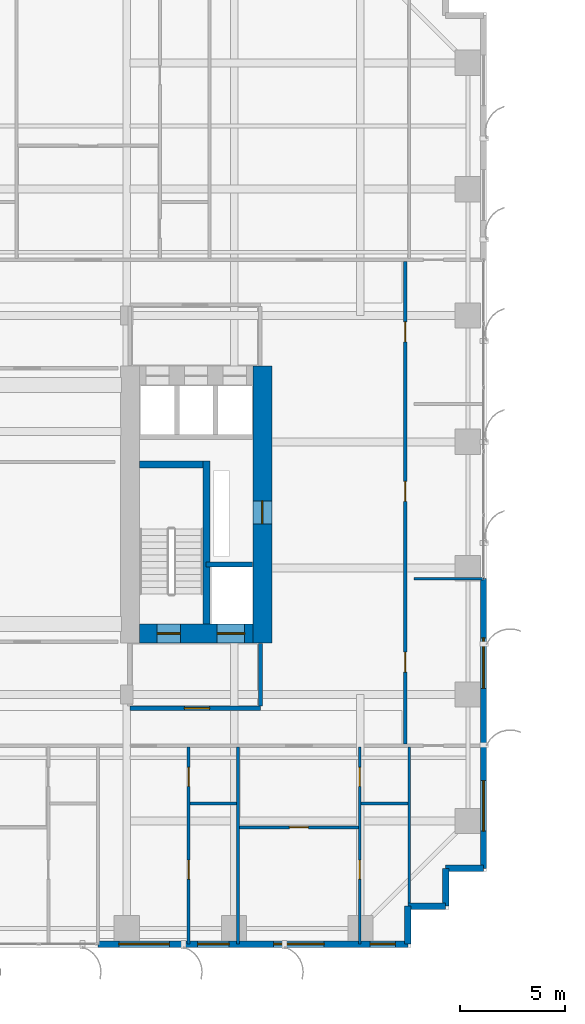
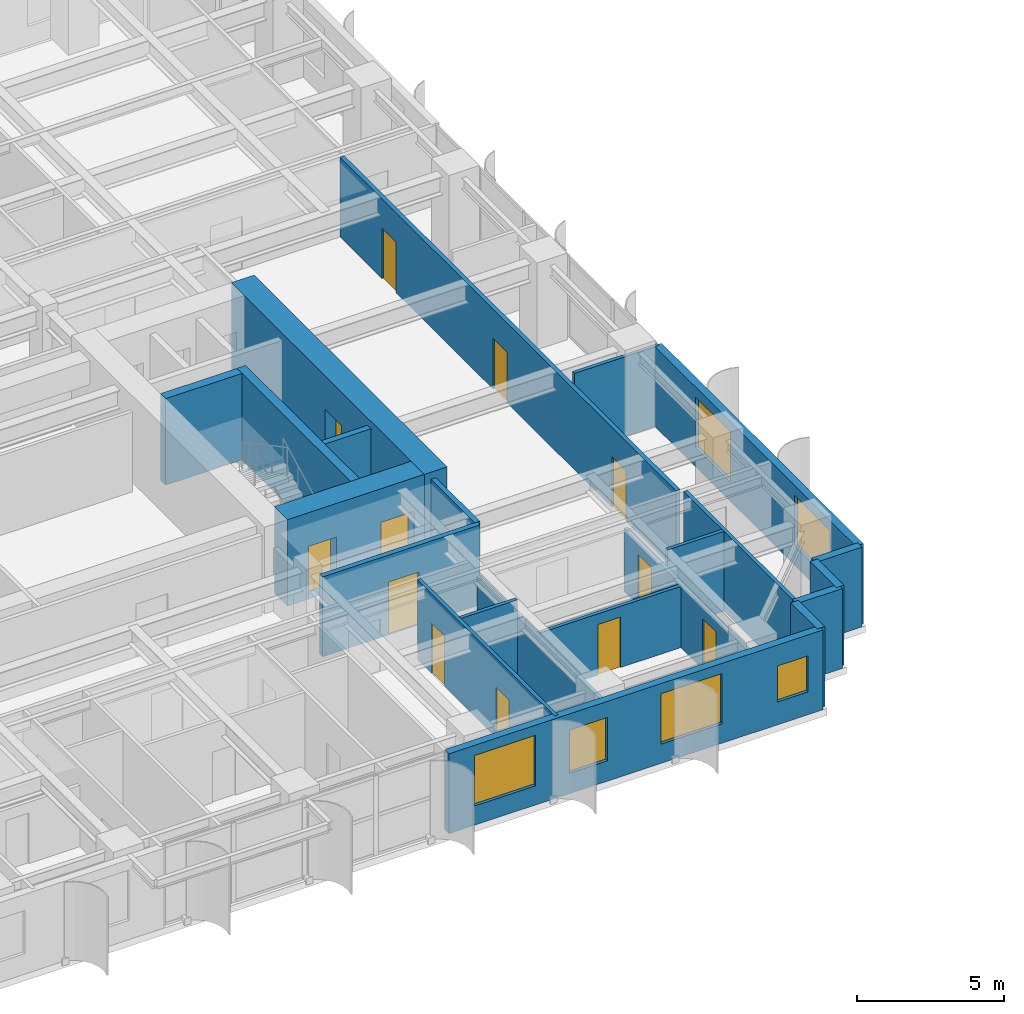
# One storey, part 18 of 26: 22 walls, 12 doors, 6 windows, 18 openings.
"""IFC4 building model written with IfcOpenShell, lengths in metres."""

from ifc_helpers import new_model, si_unit, direction, frame, frame_2d, origin, place, context, subcontext, project, spatial, rectangle, extrude, source, transform, mapped, material, layer, layer_set, type_object, element, fill, save


model = new_model("IFC4")

# Units and contexts
model_context = context("Model", 3, precision=1e-05, world=origin(), true_north=direction((0.0, 1.0)))
body_context = subcontext(model_context, "Body", "Model", "MODEL_VIEW")
ifc_project = project(units=[si_unit("LENGTHUNIT", "METRE"), si_unit("AREAUNIT", "SQUARE_METRE"), si_unit("VOLUMEUNIT", "CUBIC_METRE"), si_unit("PLANEANGLEUNIT", "RADIAN"), si_unit("MASSUNIT", "GRAM", prefix="KILO")], contexts=[model_context])

# Site, building, storey
site_placement = place(None, origin())
site = spatial("IfcSite", under=ifc_project, at=site_placement, CompositionType="ELEMENT")
building_placement = place(site_placement, origin())
building = spatial("IfcBuilding", under=site, at=building_placement, Name="Khoralis Quay Care Tower", CompositionType="ELEMENT")
storey_placement = place(building_placement, frame((0.0, 0.0, 26.10009765625)))
storey = spatial("IfcBuildingStorey", under=building, at=storey_placement, Name="L06", CompositionType="ELEMENT", Elevation=26.10009765625)

# Wall, opening, door
ifc_material_1 = material(Name="Gypsum plasterboard on acoustic metal stud")
ifc_layer_1 = layer(ifc_material_1, 0.199951171875)
ifc_layer_set_1 = layer_set([ifc_layer_1], Name="Gypsum plasterboard on acoustic metal stud")
wall_type_1 = type_object("IfcWallType", Name="WL-COMP-200", PredefinedType="PARTITIONING", material=ifc_layer_set_1)
wall_1_placement = place(storey_placement, frame((31.050048828125, 11.35009765625, 0.0), z_axis=(0.0, 0.0, 1.0), x_axis=(1.0, 0.0, 0.0)))
wall_1 = element("IfcWall", 1, at=wall_1_placement, inside=storey, type_object=wall_type_1, Name="L06 East Firefighting Lobby South Wall", PredefinedType="PARTITIONING", context=body_context, shape_type="SweptSolid", body=[
    extrude(rectangle(XDim=6.199951171875, YDim=0.199951171875, at=frame_2d((3.10009765625, 0.0))), origin(), (0.0, 0.0, 1.0), 3.31982421875),
])
opening_1_placement = place(wall_1_placement, frame((2.585693359375, 0.0, 0.0)))
opening_1 = element("IfcOpeningElement", 2, at=opening_1_placement, cuts=wall_1, Name="Opening FD1", PredefinedType="OPENING", context=body_context, shape_type="SweptSolid", body=[
    extrude(rectangle(XDim=1.199951171875, YDim=2.199951171875, at=frame_2d((0.60009765625, 1.10009765625))), frame((0.0, 0.10986328125, 0.0), z_axis=(0.0, -1.0, 0.0), x_axis=(1.0, 0.0, 0.0)), (0.0, 0.0, 1.0), 0.219970703125),
])
ifc_material_2 = material(Name="Fire-rated painted steel", Category="steel")
door_type_1 = type_object("IfcDoorType", Name="DR-FFL-1200X2200", OperationType="NOTDEFINED", PredefinedType="DOOR", material=ifc_material_2)
shared_shape_1 = source(origin(), body_context, "Body", "SweptSolid", [
    extrude(rectangle(XDim=1.199951171875, YDim=2.199951171875, at=frame_2d((0.60009765625, 1.10009765625))), frame((0.0, 0.02490234375, 0.0), z_axis=(0.0, -1.0, 0.0), x_axis=(1.0, 0.0, 0.0)), (0.0, 0.0, 1.0), 0.050048828125),
])
door_1_placement = place(opening_1_placement, origin())
door_1 = element("IfcDoor", 3, at=door_1_placement, inside=storey, type_object=door_type_1, Name="L06 East Firefighting Lobby Fire Door", OperationType="SINGLE_SWING_LEFT", OverallHeight=2.199951171875, OverallWidth=1.199951171875, PredefinedType="DOOR", context=body_context, shape_type="MappedRepresentation", body=[
    mapped(shared_shape_1, transform((0.0, 0.0, 0.0), scale=1.0)),
])
fill(opening_1, door_1)

# Wall
wall_2_placement = place(storey_placement, frame((37.25, 11.445068359375, 0.0), z_axis=(0.0, 0.0, 1.0), x_axis=(0.0, 1.0, 0.0)))
element("IfcWall", 4, at=wall_2_placement, inside=storey, type_object=wall_type_1, Name="L06 East Firefighting Lobby East Wall", PredefinedType="PARTITIONING", context=body_context, shape_type="SweptSolid", body=[
    extrude(rectangle(XDim=2.98486328125, YDim=0.199951171875, at=frame_2d((1.492431640625, 0.0))), origin(), (0.0, 0.0, 1.0), 3.31982421875),
])

# Wall, opening, door
ifc_material_3 = material(Name="Concrete C80/95", Category="concrete")
ifc_layer_2 = layer(ifc_material_3, 0.89990234375)
ifc_layer_set_2 = layer_set([ifc_layer_2], Name="Concrete C80/95")
wall_type_2 = type_object("IfcWallType", Name="WL-CORE-900", PredefinedType="SHEAR", material=ifc_layer_set_2)
wall_3_placement = place(storey_placement, frame((37.35009765625, 14.449951171875, 0.0), z_axis=(0.0, 0.0, 1.0), x_axis=(0.0, 1.0, 0.0)))
wall_3 = element("IfcWall", 5, at=wall_3_placement, inside=storey, type_object=wall_type_2, Name="L06 ECORE East Shear Wall", PredefinedType="SHEAR", context=body_context, shape_type="SweptSolid", body=[
    extrude(rectangle(XDim=13.150146484375, YDim=0.89990234375, at=frame_2d((6.5751953125, 0.0))), origin(), (0.0, 0.0, 1.0), 3.599853515625),
])
opening_2_placement = place(wall_3_placement, frame((5.64990234375, 0.0, 0.0)))
opening_2 = element("IfcOpeningElement", 6, at=opening_2_placement, cuts=wall_3, Name="Opening SD1", PredefinedType="OPENING", context=body_context, shape_type="SweptSolid", body=[
    extrude(rectangle(XDim=1.10009765625, YDim=2.199951171875, at=frame_2d((0.550048828125, 1.10009765625))), frame((0.0, 0.4599609375, 0.0), z_axis=(0.0, -1.0, 0.0), x_axis=(1.0, 0.0, 0.0)), (0.0, 0.0, 1.0), 0.919921875),
])
door_type_2 = type_object("IfcDoorType", Name="DR-STAIR-1100X2200", OperationType="NOTDEFINED", PredefinedType="DOOR", material=ifc_material_2)
shared_shape_2 = source(origin(), body_context, "Body", "SweptSolid", [
    extrude(rectangle(XDim=1.10009765625, YDim=2.199951171875, at=frame_2d((0.550048828125, 1.10009765625))), frame((0.0, 0.02490234375, 0.0), z_axis=(0.0, -1.0, 0.0), x_axis=(1.0, 0.0, 0.0)), (0.0, 0.0, 1.0), 0.050048828125),
])
door_2_placement = place(opening_2_placement, frame((1.10009765625, 0.0, 0.0), z_axis=(0.0, 0.0, 1.0), x_axis=(-1.0, 0.0, 0.0)))
door_2 = element("IfcDoor", 7, at=door_2_placement, inside=storey, type_object=door_type_2, Name="L06 East MEP Riser Door", OperationType="SINGLE_SWING_LEFT", OverallHeight=2.199951171875, OverallWidth=1.10009765625, PredefinedType="DOOR", context=body_context, shape_type="MappedRepresentation", body=[
    mapped(shared_shape_2, transform((0.0, 0.0, 0.0), scale=1.0)),
])
fill(opening_2, door_2)

# Wall, openings, doors
wall_4_placement = place(storey_placement, frame((31.52001953125, 14.89990234375, 0.0), z_axis=(0.0, 0.0, 1.0), x_axis=(1.0, 0.0, 0.0)))
wall_4 = element("IfcWall", 8, at=wall_4_placement, inside=storey, type_object=wall_type_2, Name="L06 ECORE South Shear Wall", PredefinedType="SHEAR", context=body_context, shape_type="SweptSolid", body=[
    extrude(rectangle(XDim=5.3798828125, YDim=0.89990234375, at=frame_2d((2.68994140625, 0.0))), origin(), (0.0, 0.0, 1.0), 3.599853515625),
])
opening_3_placement = place(wall_4_placement, frame((0.830078125, 0.0, 0.0)))
opening_3 = element("IfcOpeningElement", 9, at=opening_3_placement, cuts=wall_4, Name="Opening SD1", PredefinedType="OPENING", context=body_context, shape_type="SweptSolid", body=[
    extrude(rectangle(XDim=1.10009765625, YDim=2.199951171875, at=frame_2d((0.550048828125, 1.10009765625))), frame((0.0, 0.4599609375, 0.0), z_axis=(0.0, -1.0, 0.0), x_axis=(1.0, 0.0, 0.0)), (0.0, 0.0, 1.0), 0.919921875),
])
opening_4_placement = place(wall_4_placement, frame((3.679931640625, 0.0, 0.0)))
opening_4 = element("IfcOpeningElement", 10, at=opening_4_placement, cuts=wall_4, Name="Opening LD2", PredefinedType="OPENING", context=body_context, shape_type="SweptSolid", body=[
    extrude(rectangle(XDim=1.300048828125, YDim=2.199951171875, at=frame_2d((0.64990234375, 1.10009765625))), frame((0.0, 0.4599609375, 0.0), z_axis=(0.0, -1.0, 0.0), x_axis=(1.0, 0.0, 0.0)), (0.0, 0.0, 1.0), 0.919921875),
])
door_3_placement = place(opening_3_placement, origin())
door_3 = element("IfcDoor", 11, at=door_3_placement, inside=storey, type_object=door_type_2, Name="L06 Stair ST-T2 Fire Door", OperationType="SINGLE_SWING_LEFT", OverallHeight=2.199951171875, OverallWidth=1.10009765625, PredefinedType="DOOR", context=body_context, shape_type="MappedRepresentation", body=[
    mapped(shared_shape_2, transform((0.0, 0.0, 0.0), scale=1.0)),
])
fill(opening_3, door_3)
ifc_material_4 = material(Name="Brushed stainless steel", Category="steel")
door_type_3 = type_object("IfcDoorType", Name="DR-LIFT-1300X2200", OperationType="SLIDING_TO_RIGHT", PredefinedType="DOOR", material=ifc_material_4)
shared_shape_3 = source(origin(), body_context, "Body", "SweptSolid", [
    extrude(rectangle(XDim=1.300048828125, YDim=2.199951171875, at=frame_2d((0.64990234375, 1.10009765625))), frame((0.0, 0.02490234375, 0.0), z_axis=(0.0, -1.0, 0.0), x_axis=(1.0, 0.0, 0.0)), (0.0, 0.0, 1.0), 0.050048828125),
])
door_4_placement = place(opening_4_placement, origin())
door_4 = element("IfcDoor", 12, at=door_4_placement, inside=storey, type_object=door_type_3, Name="L06 Firefighting Lift FFL-2 Landing Door", OperationType="SLIDING_TO_RIGHT", OverallHeight=2.199951171875, OverallWidth=1.300048828125, PredefinedType="DOOR", context=body_context, shape_type="MappedRepresentation", body=[
    mapped(shared_shape_3, transform((0.0, 0.0, 0.0), scale=1.0)),
])
fill(opening_4, door_4)

ifc_layer_3 = layer(ifc_material_1, 0.1650390625)
ifc_layer_set_3 = layer_set([ifc_layer_3], Name="Gypsum plasterboard on acoustic metal stud")
wall_type_3 = type_object("IfcWallType", Name="WL-CORR-165", PredefinedType="PARTITIONING", material=ifc_layer_set_3)
wall_5_placement = place(storey_placement, frame((44.1201171875, 9.657470703125, 0.0), z_axis=(0.0, 0.0, 1.0), x_axis=(0.0, 1.0, 0.0)))
wall_5 = element("IfcWall", 13, at=wall_5_placement, inside=storey, type_object=wall_type_3, Name="L06 East Loop Corridor Wall", PredefinedType="PARTITIONING", context=body_context, shape_type="SweptSolid", body=[
    extrude(rectangle(XDim=22.905029296875, YDim=0.1650390625, at=frame_2d((11.45263671875, 0.0))), origin(), (0.0, 0.0, 1.0), 3.31982421875),
])
opening_5_placement = place(wall_5_placement, frame((3.407470703125, 0.0, 0.0)))
opening_5 = element("IfcOpeningElement", 14, at=opening_5_placement, cuts=wall_5, Name="Opening ID1", PredefinedType="OPENING", context=body_context, shape_type="SweptSolid", body=[
    extrude(rectangle(XDim=0.949951171875, YDim=2.10009765625, at=frame_2d((0.47509765625, 1.050048828125))), frame((0.0, 0.092529296875, 0.0), z_axis=(0.0, -1.0, 0.0), x_axis=(1.0, 0.0, 0.0)), (0.0, 0.0, 1.0), 0.18505859375),
])
opening_6_placement = place(wall_5_placement, frame((11.517578125, 0.0, 0.0)))
opening_6 = element("IfcOpeningElement", 15, at=opening_6_placement, cuts=wall_5, Name="Opening ID1", PredefinedType="OPENING", context=body_context, shape_type="SweptSolid", body=[
    extrude(rectangle(XDim=0.949951171875, YDim=2.10009765625, at=frame_2d((0.47509765625, 1.050048828125))), frame((0.0, 0.092529296875, 0.0), z_axis=(0.0, -1.0, 0.0), x_axis=(1.0, 0.0, 0.0)), (0.0, 0.0, 1.0), 0.18505859375),
])
opening_7_placement = place(wall_5_placement, frame((19.08740234375, 0.0, 0.0)))
opening_7 = element("IfcOpeningElement", 16, at=opening_7_placement, cuts=wall_5, Name="Opening ID1", PredefinedType="OPENING", context=body_context, shape_type="SweptSolid", body=[
    extrude(rectangle(XDim=0.949951171875, YDim=2.10009765625, at=frame_2d((0.47509765625, 1.050048828125))), frame((0.0, 0.092529296875, 0.0), z_axis=(0.0, -1.0, 0.0), x_axis=(1.0, 0.0, 0.0)), (0.0, 0.0, 1.0), 0.18505859375),
])
ifc_material_5 = material(Name="Acoustic hardwood timber", Category="wood")
door_type_4 = type_object("IfcDoorType", Name="DR-ROOM-950X2100", OperationType="NOTDEFINED", PredefinedType="DOOR", material=ifc_material_5)
shared_shape_4 = source(origin(), body_context, "Body", "SweptSolid", [
    extrude(rectangle(XDim=0.949951171875, YDim=2.10009765625, at=frame_2d((0.47509765625, 1.050048828125))), frame((0.0, 0.02490234375, 0.0), z_axis=(0.0, -1.0, 0.0), x_axis=(1.0, 0.0, 0.0)), (0.0, 0.0, 1.0), 0.050048828125),
])
door_5_placement = place(opening_5_placement, frame((0.949951171875, 0.0, 0.0), z_axis=(0.0, 0.0, 1.0), x_axis=(-1.0, 0.0, 0.0)))
door_5 = element("IfcDoor", 17, at=door_5_placement, inside=storey, type_object=door_type_4, Name="L06 Therapy Consultation Room Door", OperationType="SINGLE_SWING_LEFT", OverallHeight=2.10009765625, OverallWidth=0.949951171875, PredefinedType="DOOR", context=body_context, shape_type="MappedRepresentation", body=[
    mapped(shared_shape_4, transform((0.0, 0.0, 0.0), scale=1.0)),
])
fill(opening_5, door_5)
door_6_placement = place(opening_6_placement, frame((0.949951171875, 0.0, 0.0), z_axis=(0.0, 0.0, 1.0), x_axis=(-1.0, 0.0, 0.0)))
door_6 = element("IfcDoor", 18, at=door_6_placement, inside=storey, type_object=door_type_4, Name="L06 Assisted Activity Lounge Door", OperationType="SINGLE_SWING_RIGHT", OverallHeight=2.10009765625, OverallWidth=0.949951171875, PredefinedType="DOOR", context=body_context, shape_type="MappedRepresentation", body=[
    mapped(shared_shape_4, transform((0.0, 0.0, 0.0), scale=1.0)),
])
fill(opening_6, door_6)
door_7_placement = place(opening_7_placement, frame((0.949951171875, 0.0, 0.0), z_axis=(0.0, 0.0, 1.0), x_axis=(-1.0, 0.0, 0.0)))
door_7 = element("IfcDoor", 19, at=door_7_placement, inside=storey, type_object=door_type_4, Name="L06 Nurse Charting Office Door", OperationType="SINGLE_SWING_LEFT", OverallHeight=2.10009765625, OverallWidth=0.949951171875, PredefinedType="DOOR", context=body_context, shape_type="MappedRepresentation", body=[
    mapped(shared_shape_4, transform((0.0, 0.0, 0.0), scale=1.0)),
])
fill(opening_7, door_7)

# Wall, openings, windows
ifc_material_6 = material(Name="Precast concrete C45/55", Category="concrete")
ifc_layer_4 = layer(ifc_material_6, 0.300048828125)
ifc_layer_set_4 = layer_set([ifc_layer_4], Name="Precast concrete C45/55")
wall_type_4 = type_object("IfcWallType", Name="WL-EXT-REF-300", PredefinedType="SOLIDWALL", material=ifc_layer_set_4)
wall_6_placement = place(storey_placement, frame((29.530029296875, 0.14990234375, 0.0), z_axis=(0.0, 0.0, 1.0), x_axis=(1.0, 0.0, 0.0)))
wall_6 = element("IfcWall", 20, at=wall_6_placement, inside=storey, type_object=wall_type_4, Name="L06 External Facade Wall WL-EXT-L06-P1-E0B", PredefinedType="SOLIDWALL", context=body_context, shape_type="SweptSolid", body=[
    extrude(rectangle(XDim=14.719970703125, YDim=0.300048828125, at=frame_2d((7.35986328125, 0.0))), origin(), (0.0, 0.0, 1.0), 3.31982421875),
])
opening_8_placement = place(wall_6_placement, frame((1.0048828125, 0.0, 0.800048828125)))
opening_8 = element("IfcOpeningElement", 21, at=opening_8_placement, cuts=wall_6, Name="Opening W1", PredefinedType="OPENING", context=body_context, shape_type="SweptSolid", body=[
    extrude(rectangle(XDim=2.39990234375, YDim=2.10009765625, at=frame_2d((1.199951171875, 1.050048828125))), frame((0.0, 0.16015625, 0.0), z_axis=(0.0, -1.0, 0.0), x_axis=(1.0, 0.0, 0.0)), (0.0, 0.0, 1.0), 0.320068359375),
])
opening_9_placement = place(wall_6_placement, frame((4.735107421875, 0.0, 0.85009765625)))
opening_9 = element("IfcOpeningElement", 22, at=opening_9_placement, cuts=wall_6, Name="Opening W3", PredefinedType="OPENING", context=body_context, shape_type="SweptSolid", body=[
    extrude(rectangle(XDim=1.5, YDim=1.800048828125, at=frame_2d((0.75, 0.89990234375))), frame((0.0, 0.16015625, 0.0), z_axis=(0.0, -1.0, 0.0), x_axis=(1.0, 0.0, 0.0)), (0.0, 0.0, 1.0), 0.320068359375),
])
opening_10_placement = place(wall_6_placement, frame((8.35009765625, 0.0, 0.800048828125)))
opening_10 = element("IfcOpeningElement", 23, at=opening_10_placement, cuts=wall_6, Name="Opening W1", PredefinedType="OPENING", context=body_context, shape_type="SweptSolid", body=[
    extrude(rectangle(XDim=2.39990234375, YDim=2.10009765625, at=frame_2d((1.199951171875, 1.050048828125))), frame((0.0, 0.16015625, 0.0), z_axis=(0.0, -1.0, 0.0), x_axis=(1.0, 0.0, 0.0)), (0.0, 0.0, 1.0), 0.320068359375),
])
opening_11_placement = place(wall_6_placement, frame((12.929931640625, 0.0, 0.949951171875)))
opening_11 = element("IfcOpeningElement", 24, at=opening_11_placement, cuts=wall_6, Name="Opening W6", PredefinedType="OPENING", context=body_context, shape_type="SweptSolid", body=[
    extrude(rectangle(XDim=1.199951171875, YDim=1.5, at=frame_2d((0.60009765625, 0.75))), frame((0.0, 0.16015625, 0.0), z_axis=(0.0, -1.0, 0.0), x_axis=(1.0, 0.0, 0.0)), (0.0, 0.0, 1.0), 0.320068359375),
])
ifc_material_7 = material(Name="Low-E solar-control double glazing", Category="glass")
window_type_1 = type_object("IfcWindowType", Name="WN-CLIN-1500X1800", PartitioningType="SINGLE_PANEL", PredefinedType="WINDOW", material=ifc_material_7)
shared_shape_5 = source(origin(), body_context, "Body", "SweptSolid", [
    extrude(rectangle(XDim=1.5, YDim=1.800048828125, at=frame_2d((0.75, 0.89990234375))), frame((0.0, 0.030029296875, 0.0), z_axis=(0.0, -1.0, 0.0), x_axis=(1.0, 0.0, 0.0)), (0.0, 0.0, 1.0), 0.06005859375),
])
window_1_placement = place(opening_9_placement, origin())
window_1 = element("IfcWindow", 25, at=window_1_placement, inside=storey, type_object=window_type_1, Name="WN-L06-P1-E0B Facade Window 02", OverallHeight=1.800048828125, OverallWidth=1.5, PartitioningType="SINGLE_PANEL", PredefinedType="WINDOW", context=body_context, shape_type="MappedRepresentation", body=[
    mapped(shared_shape_5, transform((0.0, 0.0, 0.0), scale=1.0)),
])
fill(opening_9, window_1)
window_type_2 = type_object("IfcWindowType", Name="WN-POD-2400X2100", PartitioningType="SINGLE_PANEL", PredefinedType="WINDOW", material=ifc_material_7)
shared_shape_6 = source(origin(), body_context, "Body", "SweptSolid", [
    extrude(rectangle(XDim=2.39990234375, YDim=2.10009765625, at=frame_2d((1.199951171875, 1.050048828125))), frame((0.0, 0.030029296875, 0.0), z_axis=(0.0, -1.0, 0.0), x_axis=(1.0, 0.0, 0.0)), (0.0, 0.0, 1.0), 0.06005859375),
])
window_2_placement = place(opening_8_placement, origin())
window_2 = element("IfcWindow", 26, at=window_2_placement, inside=storey, type_object=window_type_2, Name="WN-L06-P1-E0B Facade Window 01", OverallHeight=2.10009765625, OverallWidth=2.39990234375, PartitioningType="SINGLE_PANEL", PredefinedType="WINDOW", context=body_context, shape_type="MappedRepresentation", body=[
    mapped(shared_shape_6, transform((0.0, 0.0, 0.0), scale=1.0)),
])
fill(opening_8, window_2)
window_3_placement = place(opening_10_placement, origin())
window_3 = element("IfcWindow", 27, at=window_3_placement, inside=storey, type_object=window_type_2, Name="WN-L06-P1-E0B Facade Window 03", OverallHeight=2.10009765625, OverallWidth=2.39990234375, PartitioningType="SINGLE_PANEL", PredefinedType="WINDOW", context=body_context, shape_type="MappedRepresentation", body=[
    mapped(shared_shape_6, transform((0.0, 0.0, 0.0), scale=1.0)),
])
fill(opening_10, window_3)
window_type_3 = type_object("IfcWindowType", Name="WN-SCH-1200X1500", PartitioningType="SINGLE_PANEL", PredefinedType="WINDOW", material=ifc_material_7)
shared_shape_7 = source(origin(), body_context, "Body", "SweptSolid", [
    extrude(rectangle(XDim=1.199951171875, YDim=1.5, at=frame_2d((0.60009765625, 0.75))), frame((0.0, 0.030029296875, 0.0), z_axis=(0.0, -1.0, 0.0), x_axis=(1.0, 0.0, 0.0)), (0.0, 0.0, 1.0), 0.06005859375),
])
window_4_placement = place(opening_11_placement, origin())
window_4 = element("IfcWindow", 28, at=window_4_placement, inside=storey, type_object=window_type_3, Name="WN-L06-P1-E0B Facade Window 04", OverallHeight=1.5, OverallWidth=1.199951171875, PartitioningType="SINGLE_PANEL", PredefinedType="WINDOW", context=body_context, shape_type="MappedRepresentation", body=[
    mapped(shared_shape_7, transform((0.0, 0.0, 0.0), scale=1.0)),
])
fill(opening_11, window_4)

# Walls
for number, where, z_axis, x_axis, name in (
    (29, (44.25, 0.14990234375, 0.0), (0.0, 0.0, 1.0), (0.0, 1.0, 0.0), "L06 External Facade Wall WL-EXT-L06-P1-C1"),
    (30, (44.25, 1.949951171875, 0.0), (0.0, 0.0, 1.0), (1.0, 0.0, 0.0), "L06 External Facade Wall WL-EXT-L06-P1-C2"),
    (31, (46.050048828125, 1.949951171875, 0.0), (0.0, 0.0, 1.0), (0.0, 1.0, 0.0), "L06 External Facade Wall WL-EXT-L06-P1-C3"),
    (32, (46.050048828125, 3.75, 0.0), (0.0, 0.0, 1.0), (1.0, 0.0, 0.0), "L06 External Facade Wall WL-EXT-L06-P1-C4"),
):
    element("IfcWall", number, at=place(storey_placement, frame(where, z_axis=z_axis, x_axis=x_axis)), inside=storey, type_object=wall_type_4, Name=name, PredefinedType="SOLIDWALL", context=body_context, shape_type="SweptSolid", body=[
        extrude(rectangle(XDim=1.800048828125, YDim=0.300048828125, at=frame_2d((0.89990234375, 0.0))), origin(), (0.0, 0.0, 1.0), 3.31982421875),
    ])

# Wall, openings, windows
wall_7_placement = place(storey_placement, frame((47.85009765625, 3.75, 0.0), z_axis=(0.0, 0.0, 1.0), x_axis=(0.0, 1.0, 0.0)))
wall_7 = element("IfcWall", 33, at=wall_7_placement, inside=storey, type_object=wall_type_4, Name="L06 External Facade Wall WL-EXT-L06-P1-E5A", PredefinedType="SOLIDWALL", context=body_context, shape_type="SweptSolid", body=[
    extrude(rectangle(XDim=13.75, YDim=0.300048828125, at=frame_2d((6.875, 0.0))), origin(), (0.0, 0.0, 1.0), 3.31982421875),
])
opening_12_placement = place(wall_7_placement, frame((1.764892578125, 0.0, 0.800048828125)))
opening_12 = element("IfcOpeningElement", 34, at=opening_12_placement, cuts=wall_7, Name="Opening W1", PredefinedType="OPENING", context=body_context, shape_type="SweptSolid", body=[
    extrude(rectangle(XDim=2.39990234375, YDim=2.10009765625, at=frame_2d((1.199951171875, 1.050048828125))), frame((0.0, 0.16015625, 0.0), z_axis=(0.0, -1.0, 0.0), x_axis=(1.0, 0.0, 0.0)), (0.0, 0.0, 1.0), 0.320068359375),
])
opening_13_placement = place(wall_7_placement, frame((8.5400390625, 0.0, 0.800048828125)))
opening_13 = element("IfcOpeningElement", 35, at=opening_13_placement, cuts=wall_7, Name="Opening W1", PredefinedType="OPENING", context=body_context, shape_type="SweptSolid", body=[
    extrude(rectangle(XDim=2.39990234375, YDim=2.10009765625, at=frame_2d((1.199951171875, 1.050048828125))), frame((0.0, 0.16015625, 0.0), z_axis=(0.0, -1.0, 0.0), x_axis=(1.0, 0.0, 0.0)), (0.0, 0.0, 1.0), 0.320068359375),
])
window_5_placement = place(opening_12_placement, origin())
window_5 = element("IfcWindow", 36, at=window_5_placement, inside=storey, type_object=window_type_2, Name="WN-L06-P1-E5A Facade Window 01", OverallHeight=2.10009765625, OverallWidth=2.39990234375, PartitioningType="SINGLE_PANEL", PredefinedType="WINDOW", context=body_context, shape_type="MappedRepresentation", body=[
    mapped(shared_shape_6, transform((0.0, 0.0, 0.0), scale=1.0)),
])
fill(opening_12, window_5)
window_6_placement = place(opening_13_placement, origin())
window_6 = element("IfcWindow", 37, at=window_6_placement, inside=storey, type_object=window_type_2, Name="WN-L06-P1-E5A Facade Window 02", OverallHeight=2.10009765625, OverallWidth=2.39990234375, PartitioningType="SINGLE_PANEL", PredefinedType="WINDOW", context=body_context, shape_type="MappedRepresentation", body=[
    mapped(shared_shape_6, transform((0.0, 0.0, 0.0), scale=1.0)),
])
fill(opening_13, window_6)

# Wall, openings, doors
ifc_material_8 = material(Name="Moisture-resistant gypsum and ceramic tile")
ifc_layer_5 = layer(ifc_material_8, 0.280029296875)
ifc_layer_set_5 = layer_set([ifc_layer_5], Name="Moisture-resistant gypsum and ceramic tile")
wall_type_5 = type_object("IfcWallType", Name="WL-PLUMB-280", PredefinedType="PLUMBINGWALL", material=ifc_layer_set_5)
wall_8_placement = place(storey_placement, frame((33.840087890625, 0.14501953125, 0.0), z_axis=(0.0, 0.0, 1.0), x_axis=(0.0, 1.0, 0.0)))
wall_8 = element("IfcWall", 38, at=wall_8_placement, inside=storey, type_object=wall_type_5, Name="L06 Care Suite 3 En-Suite Wall V", PredefinedType="PLUMBINGWALL", context=body_context, shape_type="SweptSolid", body=[
    extrude(rectangle(XDim=9.357421875, YDim=0.139892578125, at=frame_2d((4.6787109375, 0.0))), origin(), (0.0, 0.0, 1.0), 3.31982421875),
])
opening_14_placement = place(wall_8_placement, frame((7.4951171875, 0.0, 0.0)))
opening_14 = element("IfcOpeningElement", 39, at=opening_14_placement, cuts=wall_8, Name="Opening WD1", PredefinedType="OPENING", context=body_context, shape_type="SweptSolid", body=[
    extrude(rectangle(XDim=0.89990234375, YDim=2.10009765625, at=frame_2d((0.449951171875, 1.050048828125))), frame((0.0, 0.080078125, 0.0), z_axis=(0.0, -1.0, 0.0), x_axis=(1.0, 0.0, 0.0)), (0.0, 0.0, 1.0), 0.159912109375),
])
opening_15_placement = place(wall_8_placement, frame((3.094970703125, 0.0, 0.0)))
opening_15 = element("IfcOpeningElement", 40, at=opening_15_placement, cuts=wall_8, Name="Opening WD1", PredefinedType="OPENING", context=body_context, shape_type="SweptSolid", body=[
    extrude(rectangle(XDim=0.89990234375, YDim=2.10009765625, at=frame_2d((0.449951171875, 1.050048828125))), frame((0.0, 0.080078125, 0.0), z_axis=(0.0, -1.0, 0.0), x_axis=(1.0, 0.0, 0.0)), (0.0, 0.0, 1.0), 0.159912109375),
])
door_type_5 = type_object("IfcDoorType", Name="DR-BATH-900X2100", OperationType="NOTDEFINED", PredefinedType="DOOR", material=ifc_material_5)
shared_shape_8 = source(origin(), body_context, "Body", "SweptSolid", [
    extrude(rectangle(XDim=0.89990234375, YDim=2.10009765625, at=frame_2d((0.449951171875, 1.050048828125))), frame((0.0, 0.02490234375, 0.0), z_axis=(0.0, -1.0, 0.0), x_axis=(1.0, 0.0, 0.0)), (0.0, 0.0, 1.0), 0.050048828125),
])
door_8_placement = place(opening_14_placement, frame((0.89990234375, 0.0, 0.0), z_axis=(0.0, 0.0, 1.0), x_axis=(-1.0, 0.0, 0.0)))
door_8 = element("IfcDoor", 41, at=door_8_placement, inside=storey, type_object=door_type_5, Name="L06 Care CENS Door", OperationType="SINGLE_SWING_RIGHT", OverallHeight=2.10009765625, OverallWidth=0.89990234375, PredefinedType="DOOR", context=body_context, shape_type="MappedRepresentation", body=[
    mapped(shared_shape_8, transform((0.0, 0.0, 0.0), scale=1.0)),
])
fill(opening_14, door_8)
door_9_placement = place(opening_15_placement, frame((0.89990234375, 0.0, 0.0), z_axis=(0.0, 0.0, 1.0), x_axis=(-1.0, 0.0, 0.0)))
door_9 = element("IfcDoor", 42, at=door_9_placement, inside=storey, type_object=door_type_5, Name="L06 Care CSIT Door", OperationType="SINGLE_SWING_LEFT", OverallHeight=2.10009765625, OverallWidth=0.89990234375, PredefinedType="DOOR", context=body_context, shape_type="MappedRepresentation", body=[
    mapped(shared_shape_8, transform((0.0, 0.0, 0.0), scale=1.0)),
])
fill(opening_15, door_9)

# Wall
wall_9_placement = place(storey_placement, frame((33.905029296875, 6.830078125, 0.0), z_axis=(0.0, 0.0, 1.0), x_axis=(1.0, 0.0, 0.0)))
element("IfcWall", 43, at=wall_9_placement, inside=storey, type_object=wall_type_5, Name="L06 Care Suite 3 En-Suite Wall H", PredefinedType="PLUMBINGWALL", context=body_context, shape_type="SweptSolid", body=[
    extrude(rectangle(XDim=2.219970703125, YDim=0.139892578125, at=frame_2d((1.10986328125, 0.0))), origin(), (0.0, 0.0, 1.0), 3.31982421875),
])

# Wall, openings, doors
wall_10_placement = place(storey_placement, frame((41.969970703125, 0.14501953125, 0.0), z_axis=(0.0, 0.0, 1.0), x_axis=(0.0, 1.0, 0.0)))
wall_10 = element("IfcWall", 44, at=wall_10_placement, inside=storey, type_object=wall_type_5, Name="L06 Care Suite 4 En-Suite Wall V", PredefinedType="PLUMBINGWALL", context=body_context, shape_type="SweptSolid", body=[
    extrude(rectangle(XDim=9.357421875, YDim=0.139892578125, at=frame_2d((4.6787109375, 0.0))), origin(), (0.0, 0.0, 1.0), 2.625),
])
opening_16_placement = place(wall_10_placement, frame((7.4951171875, 0.0, 0.0)))
opening_16 = element("IfcOpeningElement", 45, at=opening_16_placement, cuts=wall_10, Name="Opening WD1", PredefinedType="OPENING", context=body_context, shape_type="SweptSolid", body=[
    extrude(rectangle(XDim=0.89990234375, YDim=2.10009765625, at=frame_2d((0.449951171875, 1.050048828125))), frame((0.0, 0.080078125, 0.0), z_axis=(0.0, -1.0, 0.0), x_axis=(1.0, 0.0, 0.0)), (0.0, 0.0, 1.0), 0.159912109375),
])
opening_17_placement = place(wall_10_placement, frame((3.094970703125, 0.0, 0.0)))
opening_17 = element("IfcOpeningElement", 46, at=opening_17_placement, cuts=wall_10, Name="Opening WD1", PredefinedType="OPENING", context=body_context, shape_type="SweptSolid", body=[
    extrude(rectangle(XDim=0.89990234375, YDim=2.10009765625, at=frame_2d((0.449951171875, 1.050048828125))), frame((0.0, 0.080078125, 0.0), z_axis=(0.0, -1.0, 0.0), x_axis=(1.0, 0.0, 0.0)), (0.0, 0.0, 1.0), 0.159912109375),
])
door_10_placement = place(opening_16_placement, frame((0.89990234375, 0.0, 0.0), z_axis=(0.0, 0.0, 1.0), x_axis=(-1.0, 0.0, 0.0)))
door_10 = element("IfcDoor", 47, at=door_10_placement, inside=storey, type_object=door_type_5, Name="L06 Care CENS Door", OperationType="SINGLE_SWING_LEFT", OverallHeight=2.10009765625, OverallWidth=0.89990234375, PredefinedType="DOOR", context=body_context, shape_type="MappedRepresentation", body=[
    mapped(shared_shape_8, transform((0.0, 0.0, 0.0), scale=1.0)),
])
fill(opening_16, door_10)
door_11_placement = place(opening_17_placement, frame((0.89990234375, 0.0, 0.0), z_axis=(0.0, 0.0, 1.0), x_axis=(-1.0, 0.0, 0.0)))
door_11 = element("IfcDoor", 48, at=door_11_placement, inside=storey, type_object=door_type_5, Name="L06 Care CSIT Door", OperationType="SINGLE_SWING_RIGHT", OverallHeight=2.10009765625, OverallWidth=0.89990234375, PredefinedType="DOOR", context=body_context, shape_type="MappedRepresentation", body=[
    mapped(shared_shape_8, transform((0.0, 0.0, 0.0), scale=1.0)),
])
fill(opening_17, door_11)

# Walls
wall_11_placement = place(storey_placement, frame((42.034912109375, 6.830078125, 0.0), z_axis=(0.0, 0.0, 1.0), x_axis=(1.0, 0.0, 0.0)))
element("IfcWall", 49, at=wall_11_placement, inside=storey, type_object=wall_type_5, Name="L06 Care Suite 4 En-Suite Wall H", PredefinedType="PLUMBINGWALL", context=body_context, shape_type="SweptSolid", body=[
    extrude(rectangle(XDim=2.219970703125, YDim=0.139892578125, at=frame_2d((1.10986328125, 0.0))), origin(), (0.0, 0.0, 1.0), 3.31982421875),
])
ifc_material_9 = material(Name="Concrete C40/50", Category="concrete")
ifc_layer_6 = layer(ifc_material_9, 0.35009765625)
ifc_layer_set_6 = layer_set([ifc_layer_6], Name="Concrete C40/50")
wall_type_6 = type_object("IfcWallType", Name="WL-SC-CORE-350", PredefinedType="SHEAR", material=ifc_layer_set_6)
wall_12_placement = place(storey_placement, frame((34.695068359375, 15.35009765625, 0.0), z_axis=(0.0, 0.0, 1.0), x_axis=(0.0, 1.0, 0.0)))
element("IfcWall", 50, at=wall_12_placement, inside=storey, type_object=wall_type_6, Name="L06 Stair ST-T2 Shear Baffle Wall East", PredefinedType="SHEAR", context=body_context, shape_type="SweptSolid", body=[
    extrude(rectangle(XDim=7.75, YDim=0.35009765625, at=frame_2d((3.875, 0.0))), origin(), (0.0, 0.0, 1.0), 3.599853515625),
])
wall_13_placement = place(storey_placement, frame((31.52001953125, 22.925048828125, 0.0), z_axis=(0.0, 0.0, 1.0), x_axis=(1.0, 0.0, 0.0)))
element("IfcWall", 51, at=wall_13_placement, inside=storey, type_object=wall_type_6, Name="L06 Stair ST-T2 Shear Baffle Wall North", PredefinedType="SHEAR", context=body_context, shape_type="SweptSolid", body=[
    extrude(rectangle(XDim=3.0, YDim=0.35009765625, at=frame_2d((1.5, 0.0))), origin(), (0.0, 0.0, 1.0), 3.599853515625),
])
ifc_layer_7 = layer(ifc_material_1, 0.239990234375)
ifc_layer_set_7 = layer_set([ifc_layer_7], Name="Gypsum plasterboard on acoustic metal stud")
wall_type_7 = type_object("IfcWallType", Name="WL-SHAFT-240", PredefinedType="PARTITIONING", material=ifc_layer_set_7)
wall_14_placement = place(storey_placement, frame((34.679931640625, 18.169921875, 0.0), z_axis=(0.0, 0.0, 1.0), x_axis=(1.0, 0.0, 0.0)))
element("IfcWall", 52, at=wall_14_placement, inside=storey, type_object=wall_type_7, Name="L06 FFL-2 Shaft Wall North", PredefinedType="PARTITIONING", context=body_context, shape_type="SweptSolid", body=[
    extrude(rectangle(XDim=2.199951171875, YDim=0.239990234375, at=frame_2d((1.10009765625, 0.0))), origin(), (0.0, 0.0, 1.0), 3.31982421875),
])
ifc_layer_8 = layer(ifc_material_1, 0.139892578125)
ifc_layer_set_8 = layer_set([ifc_layer_8], Name="Gypsum plasterboard on acoustic metal stud")
wall_type_8 = type_object("IfcWallType", Name="WL-UNIT-140", PredefinedType="PARTITIONING", material=ifc_layer_set_8)
wall_15_placement = place(storey_placement, frame((44.5400390625, 17.5, 0.0), z_axis=(0.0, 0.0, 1.0), x_axis=(1.0, 0.0, 0.0)))
element("IfcWall", 53, at=wall_15_placement, inside=storey, type_object=wall_type_8, Name="L06 EE Divider 1", PredefinedType="PARTITIONING", context=body_context, shape_type="SweptSolid", body=[
    extrude(rectangle(XDim=3.31494140625, YDim=0.139892578125, at=frame_2d((1.657470703125, 0.0))), origin(), (0.0, 0.0, 1.0), 3.31982421875),
])
wall_16_placement = place(storey_placement, frame((36.18994140625, 0.14501953125, 0.0), z_axis=(0.0, 0.0, 1.0), x_axis=(0.0, 1.0, 0.0)))
element("IfcWall", 54, at=wall_16_placement, inside=storey, type_object=wall_type_8, Name="L06 SB Demising Wall 4", PredefinedType="PARTITIONING", context=body_context, shape_type="SweptSolid", body=[
    extrude(rectangle(XDim=9.357421875, YDim=0.139892578125, at=frame_2d((4.6787109375, 0.0))), origin(), (0.0, 0.0, 1.0), 2.625),
])
wall_17_placement = place(storey_placement, frame((44.320068359375, 1.945068359375, 0.0), z_axis=(0.0, 0.0, 1.0), x_axis=(0.0, 1.0, 0.0)))
element("IfcWall", 55, at=wall_17_placement, inside=storey, type_object=wall_type_8, Name="L06 SB Demising Wall 5", PredefinedType="PARTITIONING", context=body_context, shape_type="SweptSolid", body=[
    extrude(rectangle(XDim=7.557373046875, YDim=0.139892578125, at=frame_2d((3.77880859375, 0.0))), origin(), (0.0, 0.0, 1.0), 3.31982421875),
])

# Wall, opening, door
wall_18_placement = place(storey_placement, frame((36.2548828125, 5.68994140625, 0.0), z_axis=(0.0, 0.0, 1.0), x_axis=(1.0, 0.0, 0.0)))
wall_18 = element("IfcWall", 56, at=wall_18_placement, inside=storey, type_object=wall_type_8, Name="Skilled Care Bedroom L06-SB4 Sub-Partition", PredefinedType="PARTITIONING", context=body_context, shape_type="SweptSolid", body=[
    extrude(rectangle(XDim=5.650146484375, YDim=0.139892578125, at=frame_2d((2.8251953125, 0.0))), origin(), (0.0, 0.0, 1.0), 2.546875),
])
opening_18_placement = place(wall_18_placement, frame((2.375, 0.0, 0.0)))
opening_18 = element("IfcOpeningElement", 57, at=opening_18_placement, cuts=wall_18, Name="Opening WD1", PredefinedType="OPENING", context=body_context, shape_type="SweptSolid", body=[
    extrude(rectangle(XDim=0.89990234375, YDim=2.10009765625, at=frame_2d((0.449951171875, 1.050048828125))), frame((0.0, 0.080078125, 0.0), z_axis=(0.0, -1.0, 0.0), x_axis=(1.0, 0.0, 0.0)), (0.0, 0.0, 1.0), 0.159912109375),
])
door_12_placement = place(opening_18_placement, origin())
door_12 = element("IfcDoor", 58, at=door_12_placement, inside=storey, type_object=door_type_5, Name="Private Study & Reading Alcove ARE4 Door", OperationType="SINGLE_SWING_LEFT", OverallHeight=2.10009765625, OverallWidth=0.89990234375, PredefinedType="DOOR", context=body_context, shape_type="MappedRepresentation", body=[
    mapped(shared_shape_8, transform((0.0, 0.0, 0.0), scale=1.0)),
])
fill(opening_18, door_12)

save(model, "model.ifc")
